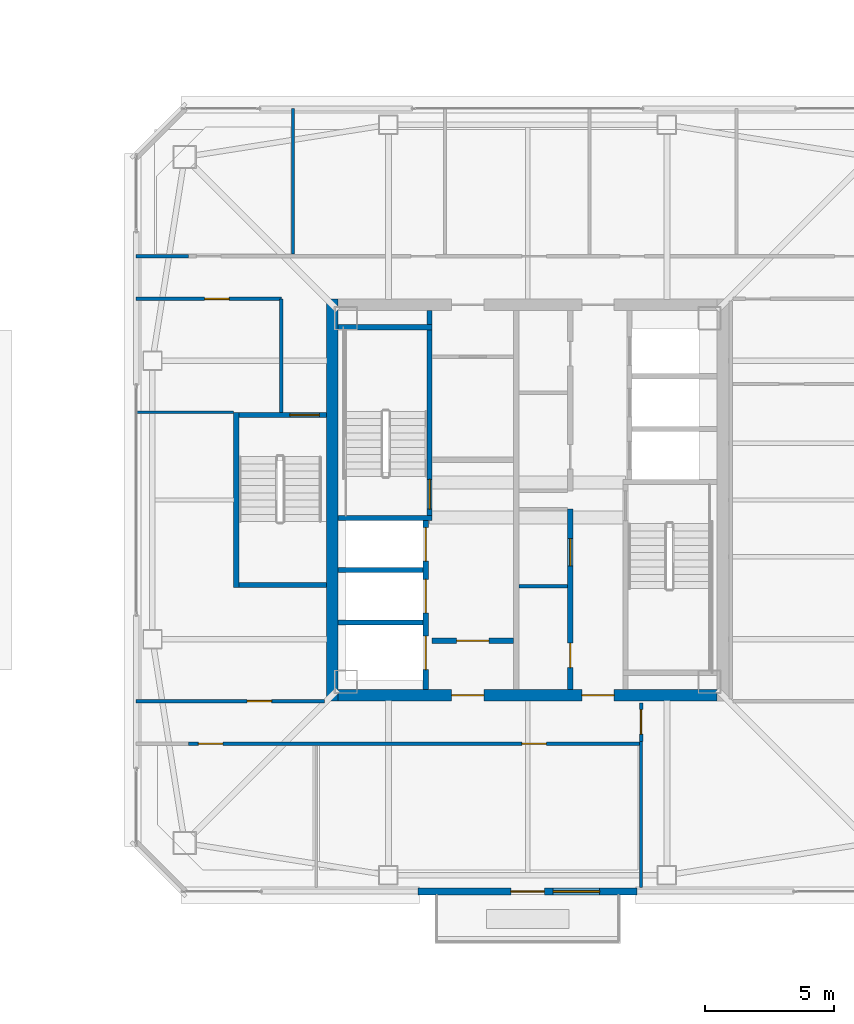
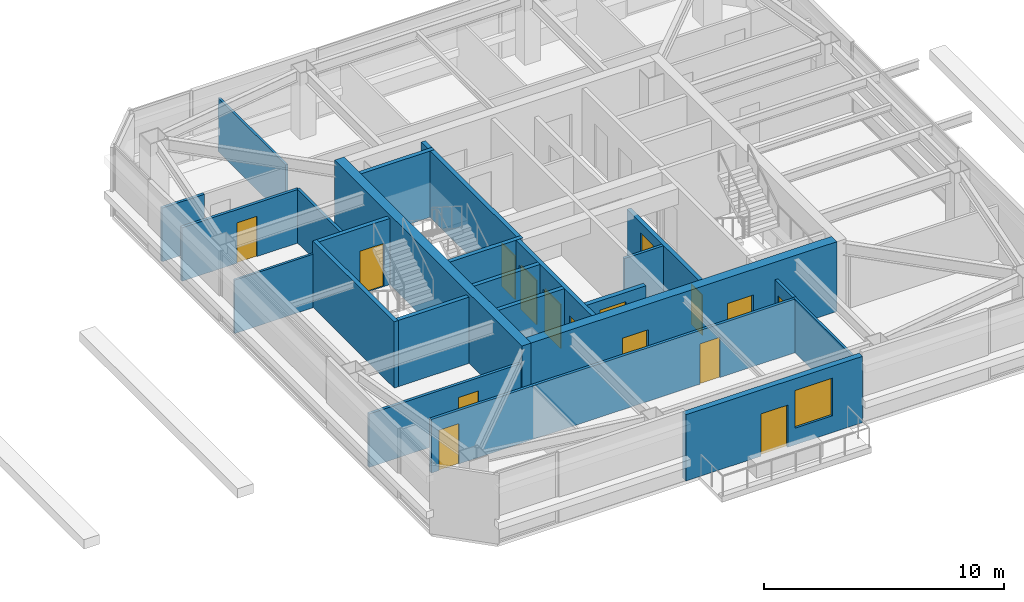
# One storey, part 25 of 31: 24 walls, 16 doors, 1 window, 17 openings.
"""IFC4 building model written with IfcOpenShell, lengths in metres."""

import ifcopenshell
import ifcopenshell.guid

model = None  # the IFC model being written
_history = None  # IfcOwnerHistory: only IFC2X3 demands one
_inside = {}  # id of a spatial element -> (the spatial element, [elements in it])
_under = {}  # id of a project, library or spatial element -> (it, [spatial elements below it])
_declared = {}  # id of a project -> (the project, [libraries it declares])
_typed = {}  # id of a type object -> (the type object, [elements of that type])
_made_of = {}  # id of a material, layer set ... -> (it, [elements and type objects made of it])


def new_model(schema):
    """Start an empty IFC model of exactly this schema.

    Asked for "IFC4X3", IfcOpenShell would pick the latest addendum, in which some entities
    have other attributes; the version numbers below select the first issue.
    IFC2X3 requires an IfcOwnerHistory on every rooted entity: one is made here for all.
    """
    global model, _history
    if schema == "IFC4X3":
        model = ifcopenshell.file(schema_version=(4, 3, 0, 0))
    else:
        model = ifcopenshell.file(schema=schema)
    _inside.clear()
    _under.clear()
    _declared.clear()
    _typed.clear()
    _made_of.clear()
    _history = None
    if model.schema == "IFC2X3":
        org = make("IfcOrganization", Name="unknown")
        user = make(
            "IfcPersonAndOrganization",
            ThePerson=make("IfcPerson", FamilyName="unknown"),
            TheOrganization=org,
        )
        app = make(
            "IfcApplication",
            ApplicationDeveloper=org,
            Version="unknown",
            ApplicationFullName="unknown",
            ApplicationIdentifier="unknown",
        )
        _history = make(
            "IfcOwnerHistory",
            OwningUser=user,
            OwningApplication=app,
            ChangeAction="ADDED",
            CreationDate=0,
        )
    return model


def make(cls, **values):
    """One entity of the class cls with the attributes given. An attribute that is None is left unset."""
    return model.create_entity(
        cls, **{name: value for name, value in values.items() if value is not None}
    )


def rooted(cls, **values):
    """An entity with a GlobalId (a new one), such as an element, a storey or a relation."""
    return make(cls, GlobalId=ifcopenshell.guid.new(), OwnerHistory=_history, **values)


def si_unit(unit_type, name, prefix=None):
    """IfcSIUnit, for example si_unit("LENGTHUNIT", "METRE", prefix="MILLI")."""
    return make("IfcSIUnit", UnitType=unit_type, Prefix=prefix, Name=name)


def assignment(units):
    """IfcUnitAssignment: the units of a project."""
    return None if units is None else make("IfcUnitAssignment", Units=units)


def point(xyz):
    """IfcCartesianPoint."""
    return None if xyz is None else make("IfcCartesianPoint", Coordinates=xyz)


def direction(xyz):
    """IfcDirection."""
    return None if xyz is None else make("IfcDirection", DirectionRatios=xyz)


def frame(location, z_axis=None, x_axis=None):
    """IfcAxis2Placement3D, a coordinate frame: its origin and axes. An axis left out is left unset."""
    return make(
        "IfcAxis2Placement3D",
        Location=point(location),
        Axis=direction(z_axis),
        RefDirection=direction(x_axis),
    )


def frame_2d(location, x_axis=None):
    """IfcAxis2Placement2D, a coordinate frame in the plane: its origin and x axis."""
    return make(
        "IfcAxis2Placement2D", Location=point(location), RefDirection=direction(x_axis)
    )


def origin():
    """The frame at (0, 0, 0) with its axes left unset."""
    return frame((0.0, 0.0, 0.0))


def place(relative_to, where):
    """IfcLocalPlacement: puts the frame where relative to a parent placement (None: the world)."""
    return make(
        "IfcLocalPlacement", PlacementRelTo=relative_to, RelativePlacement=where
    )


def context(
    kind, dimensions, precision=None, world=None, true_north=None, identifier=None
):
    """IfcGeometricRepresentationContext, for example the 3D "Model" context."""
    return make(
        "IfcGeometricRepresentationContext",
        ContextIdentifier=identifier,
        ContextType=kind,
        CoordinateSpaceDimension=dimensions,
        Precision=precision,
        WorldCoordinateSystem=world,
        TrueNorth=true_north,
    )


def subcontext(parent, identifier, kind, view, scale=None):
    """IfcGeometricRepresentationSubContext, for example "Body" below "Model"."""
    return make(
        "IfcGeometricRepresentationSubContext",
        ContextIdentifier=identifier,
        ContextType=kind,
        ParentContext=parent,
        TargetScale=scale,
        TargetView=view,
    )


def project(units=None, contexts=None):
    """IfcProject with its units and contexts."""
    return rooted(
        "IfcProject",
        Name="project",
        RepresentationContexts=contexts,
        UnitsInContext=assignment(units),
    )


def spatial(cls, under=None, at=None, **own):
    """A site, building, storey or space (cls), placed at a placement, below another one or the project."""
    s = rooted(cls, ObjectPlacement=at, **own)
    if under is not None:
        _under.setdefault(under.id(), (under, []))[1].append(s)
    return s


def profile(cls, at=None, kind="AREA", **sizes):
    """A parametric profile (cls). Its sizes go by their IFC names, for example OverallWidth=200.0."""
    return make(cls, ProfileType=kind, Position=at, **sizes)


def rectangle(**sizes):
    """IfcRectangleProfileDef."""
    return profile("IfcRectangleProfileDef", **sizes)


def extrude(swept, where, along, depth):
    """IfcExtrudedAreaSolid: the profile swept, set in the frame where, extruded along a direction by depth."""
    return make(
        "IfcExtrudedAreaSolid",
        SweptArea=swept,
        Position=where,
        ExtrudedDirection=direction(along),
        Depth=depth,
    )


def shape(context_of_items, identifier, shape_type, items):
    """IfcShapeRepresentation: the items that make up one representation, for example the "Body"."""
    return make(
        "IfcShapeRepresentation",
        ContextOfItems=context_of_items,
        RepresentationIdentifier=identifier,
        RepresentationType=shape_type,
        Items=items,
    )


def material(Name=None, Category=None):
    """IfcMaterial."""
    return make("IfcMaterial", Name=Name, Category=Category)


def layer(
    of_material, thickness, ventilated=None, Name=None, Category=None, Priority=None
):
    """IfcMaterialLayer: one layer of a wall or slab, of a material (None: an air gap)."""
    return make(
        "IfcMaterialLayer",
        Material=of_material,
        LayerThickness=thickness,
        IsVentilated=ventilated,
        Name=Name,
        Category=Category,
        Priority=Priority,
    )


def layer_set(layers, Name=None):
    """IfcMaterialLayerSet."""
    return make("IfcMaterialLayerSet", MaterialLayers=layers, LayerSetName=Name)


def made_of(thing, what):
    """Note that an element or type object is made of a material, layer set ...; save() writes the relation."""
    if what is not None:
        _made_of.setdefault(what.id(), (what, []))[1].append(thing)
    return thing


def type_object(cls, material=None, **own):
    """A type object (cls), such as IfcWallType, which elements share."""
    return made_of(rooted(cls, **own), material)


def element(
    cls,
    number,
    at=None,
    inside=None,
    cuts=None,
    type_object=None,
    material=None,
    context=None,
    identifier="Body",
    shape_type=None,
    held_by="IfcProductDefinitionShape",
    body=None,
    shapes=None,
    **own,
):
    """One element of the class cls, such as IfcWall. Its Tag is "e" and its number.

    at: its placement. inside: the storey or other place that contains it. cuts: it is an
    opening in that element (IfcRelVoidsElement). A single representation is given by context,
    identifier, shape_type and body (its items); several are given by shapes. held_by: the class
    of the entity that holds the representations. save() writes the other relations.
    """
    e = rooted(cls, Tag="e%d" % number, ObjectPlacement=at, **own)
    if body is not None:
        shapes = [shape(context, identifier, shape_type, body)]
    if shapes is not None:
        e.Representation = make(held_by, Representations=shapes)
    if inside is not None:
        _inside.setdefault(inside.id(), (inside, []))[1].append(e)
    if cuts is not None:
        rooted(
            "IfcRelVoidsElement", RelatingBuildingElement=cuts, RelatedOpeningElement=e
        )
    if type_object is not None:
        _typed.setdefault(type_object.id(), (type_object, []))[1].append(e)
    return made_of(e, material)


def fill(opening, filler):
    """IfcRelFillsElement: the door or window that sits in an opening."""
    return rooted(
        "IfcRelFillsElement",
        RelatingOpeningElement=opening,
        RelatedBuildingElement=filler,
    )


def aggregate(whole, parts):
    """IfcRelAggregates: a whole, such as a stair, and the parts it consists of."""
    return rooted("IfcRelAggregates", RelatingObject=whole, RelatedObjects=parts)


def save(model, path):
    """Write the relations noted so far, then the file.

    IfcRelAggregates (storeys below a building ...), IfcRelContainedInSpatialStructure (elements
    in a storey), IfcRelDefinesByType, IfcRelAssociatesMaterial and IfcRelDeclares: one each for
    every whole, place, type object, material and project.
    """
    for whole, parts in _under.values():
        aggregate(whole, parts)
    for where, things in _inside.values():
        rooted(
            "IfcRelContainedInSpatialStructure",
            RelatedElements=things,
            RelatingStructure=where,
        )
    for kind, things in _typed.values():
        rooted("IfcRelDefinesByType", RelatedObjects=things, RelatingType=kind)
    for what, things in _made_of.values():
        rooted("IfcRelAssociatesMaterial", RelatedObjects=things, RelatingMaterial=what)
    for by, libraries in _declared.values():
        rooted("IfcRelDeclares", RelatingContext=by, RelatedDefinitions=libraries)
    model.write(path)


model = new_model("IFC4")

# Units and contexts
model_context = context("Model", 3, precision=1e-05, world=origin(), true_north=direction((0.0, 1.0)))
body_context = subcontext(model_context, "Body", "Model", "MODEL_VIEW")
ifc_project = project(units=[si_unit("LENGTHUNIT", "METRE"), si_unit("AREAUNIT", "SQUARE_METRE"), si_unit("VOLUMEUNIT", "CUBIC_METRE"), si_unit("PLANEANGLEUNIT", "RADIAN"), si_unit("MASSUNIT", "GRAM", prefix="KILO")], contexts=[model_context])

# Site, building, storey
site_placement = place(None, origin())
site = spatial("IfcSite", under=ifc_project, at=site_placement, CompositionType="ELEMENT")
building_placement = place(site_placement, origin())
building = spatial("IfcBuilding", under=site, at=building_placement, Name="Tashvorn Skyway Center", CompositionType="ELEMENT")
storey_placement = place(building_placement, frame((0.0, 0.0, 266.949951171875)))
storey = spatial("IfcBuildingStorey", under=building, at=storey_placement, Name="L72", CompositionType="ELEMENT", Elevation=266.949951171875)

# Wall
ifc_material_1 = material(Name="Concrete C50/60", Category="concrete")
ifc_layer_1 = layer(ifc_material_1, 0.449951171875)
ifc_layer_set_1 = layer_set([ifc_layer_1], Name="Concrete C50/60")
wall_type_1 = type_object("IfcWallType", Name="WALL-CORE-450", PredefinedType="SHEAR", material=ifc_layer_set_1)
wall_1_placement = place(storey_placement, frame((34.425048828125, 24.199951171875, 0.0), z_axis=(0.0, 0.0, 1.0), x_axis=(0.0, 1.0, 0.0)))
element("IfcWall", 1, at=wall_1_placement, inside=storey, type_object=wall_type_1, Name="Tower 1 L72 West Core Shear Wall", PredefinedType="SHEAR", context=body_context, shape_type="SweptSolid", body=[
    extrude(rectangle(XDim=15.60009765625, YDim=0.449951171875, at=frame_2d((7.800048828125, 0.0))), origin(), (0.0, 0.0, 1.0), 3.550048828125),
])

# Wall, openings, doors
wall_2_placement = place(storey_placement, frame((49.35009765625, 24.425048828125, 0.0), z_axis=(0.0, 0.0, 1.0), x_axis=(-1.0, 0.0, 0.0)))
wall_2 = element("IfcWall", 2, at=wall_2_placement, inside=storey, type_object=wall_type_1, Name="Tower 1 L72 South Core Shear Wall", PredefinedType="SHEAR", context=body_context, shape_type="SweptSolid", body=[
    extrude(rectangle(XDim=14.7001953125, YDim=0.449951171875, at=frame_2d((7.35009765625, 0.0))), origin(), (0.0, 0.0, 1.0), 3.550048828125),
])
opening_1_placement = place(wall_2_placement, frame((9.050048828125, 0.0, 0.0)))
opening_1 = element("IfcOpeningElement", 3, at=opening_1_placement, cuts=wall_2, Name="Opening D-FFL-1250", PredefinedType="OPENING", context=body_context, shape_type="SweptSolid", body=[
    extrude(rectangle(XDim=1.25, YDim=2.25, at=frame_2d((0.625, 1.125))), frame((0.0, 0.23486328125, 0.0), z_axis=(0.0, -1.0, 0.0), x_axis=(1.0, 0.0, 0.0)), (0.0, 0.0, 1.0), 0.469970703125),
])
opening_2_placement = place(wall_2_placement, frame((4.0, 0.0, 0.0)))
opening_2 = element("IfcOpeningElement", 4, at=opening_2_placement, cuts=wall_2, Name="Opening D-FFL-1250", PredefinedType="OPENING", context=body_context, shape_type="SweptSolid", body=[
    extrude(rectangle(XDim=1.25, YDim=2.25, at=frame_2d((0.625, 1.125))), frame((0.0, 0.23486328125, 0.0), z_axis=(0.0, -1.0, 0.0), x_axis=(1.0, 0.0, 0.0)), (0.0, 0.0, 1.0), 0.469970703125),
])
ifc_material_2 = material(Name="Hollow galvanized steel fire door assembly", Category="steel")
door_type_1 = type_object("IfcDoorType", Name="DOOR-FFL-1250", OperationType="NOTDEFINED", PredefinedType="DOOR", material=ifc_material_2)
door_1_placement = place(opening_1_placement, origin())
door_1 = element("IfcDoor", 5, at=door_1_placement, inside=storey, type_object=door_type_1, Name="Tower 1 L72 Core South Firefighting Exit Door", OperationType="SINGLE_SWING_LEFT", OverallHeight=2.25, OverallWidth=1.25, PredefinedType="DOOR", context=body_context, shape_type="SweptSolid", body=[
    extrude(rectangle(XDim=1.25, YDim=2.25, at=frame_2d((0.625, 1.125))), frame((0.0, 0.02490234375, 0.0), z_axis=(0.0, -1.0, 0.0), x_axis=(1.0, 0.0, 0.0)), (0.0, 0.0, 1.0), 0.050048828125),
])
fill(opening_1, door_1)
door_2_placement = place(opening_2_placement, origin())
door_2 = element("IfcDoor", 6, at=door_2_placement, inside=storey, type_object=door_type_1, Name="Tower 1 L72 Core South Lift Lobby Door", OperationType="SINGLE_SWING_RIGHT", OverallHeight=2.25, OverallWidth=1.25, PredefinedType="DOOR", context=body_context, shape_type="SweptSolid", body=[
    extrude(rectangle(XDim=1.25, YDim=2.25, at=frame_2d((0.625, 1.125))), frame((0.0, 0.02490234375, 0.0), z_axis=(0.0, -1.0, 0.0), x_axis=(1.0, 0.0, 0.0)), (0.0, 0.0, 1.0), 0.050048828125),
])
fill(opening_2, door_2)

# Wall, openings, door, window
ifc_material_3 = material(Name="Precast concrete C40/50", Category="concrete")
ifc_layer_2 = layer(ifc_material_3, 0.280029296875)
ifc_layer_set_2 = layer_set([ifc_layer_2], Name="Precast concrete C40/50")
wall_type_2 = type_object("IfcWallType", Name="WALL-EXT-280", PredefinedType="SOLIDWALL", material=ifc_layer_set_2)
wall_3_placement = place(storey_placement, frame((46.25, 16.820068359375, 0.0), z_axis=(0.0, 0.0, 1.0), x_axis=(-1.0, 0.0, 0.0)))
wall_3 = element("IfcWall", 7, at=wall_3_placement, inside=storey, type_object=wall_type_2, Name="Tower 1 L72 South Terrace Portal Wall", PredefinedType="SOLIDWALL", context=body_context, shape_type="SweptSolid", body=[
    extrude(rectangle(XDim=8.5, YDim=0.280029296875, at=frame_2d((4.25, 0.0))), origin(), (0.0, 0.0, 1.0), 3.3701171875),
])
opening_3_placement = place(wall_3_placement, frame((3.60009765625, 0.0, 0.0)))
opening_3 = element("IfcOpeningElement", 8, at=opening_3_placement, cuts=wall_3, Name="Opening D-TER-1300", PredefinedType="OPENING", context=body_context, shape_type="SweptSolid", body=[
    extrude(rectangle(XDim=1.300048828125, YDim=2.14990234375, at=frame_2d((0.64990234375, 1.074951171875))), frame((0.0, 0.14990234375, 0.0), z_axis=(0.0, -1.0, 0.0), x_axis=(1.0, 0.0, 0.0)), (0.0, 0.0, 1.0), 0.300048828125),
])
opening_4_placement = place(wall_3_placement, frame((1.4599609375, 0.0, 0.85009765625)))
opening_4 = element("IfcOpeningElement", 9, at=opening_4_placement, cuts=wall_3, Name="Opening WIN-1800", PredefinedType="OPENING", context=body_context, shape_type="SweptSolid", body=[
    extrude(rectangle(XDim=1.800048828125, YDim=1.919921875, at=frame_2d((0.89990234375, 0.9599609375))), frame((0.0, 0.14990234375, 0.0), z_axis=(0.0, -1.0, 0.0), x_axis=(1.0, 0.0, 0.0)), (0.0, 0.0, 1.0), 0.300048828125),
])
ifc_material_4 = material(Name="Thermally broken bronze-anodized aluminium 6063-T6", Category="aluminium")
door_type_2 = type_object("IfcDoorType", Name="DOOR-TERR-1300", OperationType="NOTDEFINED", PredefinedType="DOOR", material=ifc_material_4)
door_3_placement = place(opening_3_placement, origin())
door_3 = element("IfcDoor", 10, at=door_3_placement, inside=storey, type_object=door_type_2, Name="Tower 1 L72 Terrace Access Door", OperationType="SINGLE_SWING_RIGHT", OverallHeight=2.14990234375, OverallWidth=1.300048828125, PredefinedType="DOOR", context=body_context, shape_type="SweptSolid", body=[
    extrude(rectangle(XDim=1.300048828125, YDim=2.14990234375, at=frame_2d((0.64990234375, 1.074951171875))), frame((0.0, 0.02490234375, 0.0), z_axis=(0.0, -1.0, 0.0), x_axis=(1.0, 0.0, 0.0)), (0.0, 0.0, 1.0), 0.050048828125),
])
fill(opening_3, door_3)
ifc_material_5 = material(Name="Low-E solar-control double insulating safety glass", Category="glass")
window_type = type_object("IfcWindowType", Name="WIN-TERR-1800", PartitioningType="SINGLE_PANEL", PredefinedType="WINDOW", material=ifc_material_5)
window_placement = place(opening_4_placement, origin())
window = element("IfcWindow", 11, at=window_placement, inside=storey, type_object=window_type, Name="Tower 1 L72 Terrace Window", OverallHeight=1.919921875, OverallWidth=1.800048828125, PartitioningType="SINGLE_PANEL", PredefinedType="WINDOW", context=body_context, shape_type="SweptSolid", body=[
    extrude(rectangle(XDim=1.800048828125, YDim=1.919921875, at=frame_2d((0.89990234375, 0.9599609375))), frame((0.0, 0.030029296875, 0.0), z_axis=(0.0, -1.0, 0.0), x_axis=(1.0, 0.0, 0.0)), (0.0, 0.0, 1.0), 0.06005859375),
])
fill(opening_4, window)

# Wall, opening, door
ifc_material_6 = material(Name="Concrete C40/50", Category="concrete")
ifc_layer_3 = layer(ifc_material_6, 0.219970703125)
ifc_layer_set_3 = layer_set([ifc_layer_3], Name="Concrete C40/50")
wall_type_3 = type_object("IfcWallType", Name="WALL-FFL-220", PredefinedType="SOLIDWALL", material=ifc_layer_set_3)
wall_4_placement = place(storey_placement, frame((38.300048828125, 26.5400390625, 0.0), z_axis=(0.0, 0.0, 1.0), x_axis=(1.0, 0.0, 0.0)))
wall_4 = element("IfcWall", 12, at=wall_4_placement, inside=storey, type_object=wall_type_3, Name="Tower 1 L72 Firefighting Lobby South Wall", PredefinedType="SOLIDWALL", context=body_context, shape_type="SweptSolid", body=[
    extrude(rectangle(XDim=3.14990234375, YDim=0.219970703125, at=frame_2d((1.574951171875, 0.0))), origin(), (0.0, 0.0, 1.0), 2.72314453125),
])
opening_5_placement = place(wall_4_placement, frame((0.949951171875, 0.0, 0.0)))
opening_5 = element("IfcOpeningElement", 13, at=opening_5_placement, cuts=wall_4, Name="Opening D-FFL-1250", PredefinedType="OPENING", context=body_context, shape_type="SweptSolid", body=[
    extrude(rectangle(XDim=1.25, YDim=2.25, at=frame_2d((0.625, 1.125))), frame((0.0, 0.119873046875, 0.0), z_axis=(0.0, -1.0, 0.0), x_axis=(1.0, 0.0, 0.0)), (0.0, 0.0, 1.0), 0.239990234375),
])
door_4_placement = place(opening_5_placement, origin())
door_4 = element("IfcDoor", 14, at=door_4_placement, inside=storey, type_object=door_type_1, Name="Tower 1 L72 Firefighting Lobby Egress Door", OperationType="SINGLE_SWING_LEFT", OverallHeight=2.25, OverallWidth=1.25, PredefinedType="DOOR", context=body_context, shape_type="SweptSolid", body=[
    extrude(rectangle(XDim=1.25, YDim=2.25, at=frame_2d((0.625, 1.125))), frame((0.0, 0.02490234375, 0.0), z_axis=(0.0, -1.0, 0.0), x_axis=(1.0, 0.0, 0.0)), (0.0, 0.0, 1.0), 0.050048828125),
])
fill(opening_5, door_4)

# Walls
ifc_material_7 = material(Name="Gypsum board on cold-formed steel stud framing", Category="steel")
ifc_layer_4 = layer(ifc_material_7, 0.110107421875)
ifc_layer_set_4 = layer_set([ifc_layer_4], Name="Gypsum board on cold-formed steel stud framing")
wall_type_4 = type_object("IfcWallType", Name="WALL-PART-110", PredefinedType="PARTITIONING", material=ifc_layer_set_4)
wall_5_placement = place(storey_placement, frame((32.89990234375, 41.530029296875, 0.0), z_axis=(0.0, 0.0, 1.0), x_axis=(0.0, 1.0, 0.0)))
element("IfcWall", 15, at=wall_5_placement, inside=storey, type_object=wall_type_4, Name="Tower 1 L72 North Suite Partition 1", PredefinedType="PARTITIONING", context=body_context, shape_type="SweptSolid", body=[
    extrude(rectangle(XDim=5.64990234375, YDim=0.110107421875, at=frame_2d((2.824951171875, 0.0))), origin(), (0.0, 0.0, 1.0), 2.72314453125),
])
wall_6_placement = place(storey_placement, frame((46.39990234375, 16.969970703125, 0.0), z_axis=(0.0, 0.0, 1.0), x_axis=(0.0, 1.0, 0.0)))
element("IfcWall", 16, at=wall_6_placement, inside=storey, type_object=wall_type_4, Name="Tower 1 L72 South-East Suite Wall", PredefinedType="PARTITIONING", context=body_context, shape_type="SweptSolid", body=[
    extrude(rectangle(XDim=5.659912109375, YDim=0.110107421875, at=frame_2d((2.830078125, 0.0))), origin(), (0.0, 0.0, 1.0), 2.72314453125),
])
wall_7_placement = place(storey_placement, frame((30.60009765625, 35.39990234375, 0.0), z_axis=(0.0, 0.0, 1.0), x_axis=(-1.0, 0.0, 0.0)))
element("IfcWall", 17, at=wall_7_placement, inside=storey, type_object=wall_type_4, Name="Tower 1 L72 West Suite Partition 1", PredefinedType="PARTITIONING", context=body_context, shape_type="SweptSolid", body=[
    extrude(rectangle(XDim=3.780029296875, YDim=0.110107421875, at=frame_2d((1.89013671875, 0.0))), origin(), (0.0, 0.0, 1.0), 2.72314453125),
])
ifc_layer_5 = layer(ifc_material_7, 0.135009765625)
ifc_layer_set_5 = layer_set([ifc_layer_5], Name="Gypsum board on cold-formed steel stud framing")
wall_type_5 = type_object("IfcWallType", Name="WALL-PART-135", PredefinedType="PARTITIONING", material=ifc_layer_set_5)
wall_8_placement = place(storey_placement, frame((32.449951171875, 35.39990234375, 0.0), z_axis=(0.0, 0.0, 1.0), x_axis=(0.0, 1.0, 0.0)))
element("IfcWall", 18, at=wall_8_placement, inside=storey, type_object=wall_type_5, Name="Tower 1 L72 Stair 3 Access Corridor Wall", PredefinedType="PARTITIONING", context=body_context, shape_type="SweptSolid", body=[
    extrude(rectangle(XDim=4.400146484375, YDim=0.135009765625, at=frame_2d((2.2001953125, 0.0))), origin(), (0.0, 0.0, 1.0), 2.72314453125),
])
wall_9_placement = place(storey_placement, frame((26.820068359375, 41.449951171875, 0.0), z_axis=(0.0, 0.0, 1.0), x_axis=(1.0, 0.0, 0.0)))
element("IfcWall", 19, at=wall_9_placement, inside=storey, type_object=wall_type_5, Name="Tower 1 L72 North-West Suite South Wall", PredefinedType="PARTITIONING", context=body_context, shape_type="SweptSolid", body=[
    extrude(rectangle(XDim=2.030029296875, YDim=0.135009765625, at=frame_2d((1.01513671875, 0.0))), origin(), (0.0, 0.0, 1.0), 2.72314453125),
])

# Wall, openings, doors
wall_10_placement = place(storey_placement, frame((46.39990234375, 22.550048828125, 0.0), z_axis=(0.0, 0.0, 1.0), x_axis=(-1.0, 0.0, 0.0)))
wall_10 = element("IfcWall", 20, at=wall_10_placement, inside=storey, type_object=wall_type_5, Name="Tower 1 L72 South Suite Wall", PredefinedType="PARTITIONING", context=body_context, shape_type="SweptSolid", body=[
    extrude(rectangle(XDim=17.5498046875, YDim=0.135009765625, at=frame_2d((8.77490234375, 0.0))), origin(), (0.0, 0.0, 1.0), 2.72314453125),
])
opening_6_placement = place(wall_10_placement, frame((16.219970703125, 0.0, 0.0)))
opening_6 = element("IfcOpeningElement", 21, at=opening_6_placement, cuts=wall_10, Name="Opening D-INT-950", PredefinedType="OPENING", context=body_context, shape_type="SweptSolid", body=[
    extrude(rectangle(XDim=0.949951171875, YDim=2.050048828125, at=frame_2d((0.47509765625, 1.02490234375))), frame((0.0, 0.077392578125, 0.0), z_axis=(0.0, -1.0, 0.0), x_axis=(1.0, 0.0, 0.0)), (0.0, 0.0, 1.0), 0.155029296875),
])
opening_7_placement = place(wall_10_placement, frame((3.67236328125, 0.0, 0.0)))
opening_7 = element("IfcOpeningElement", 22, at=opening_7_placement, cuts=wall_10, Name="Opening D-INT-950", PredefinedType="OPENING", context=body_context, shape_type="SweptSolid", body=[
    extrude(rectangle(XDim=0.949951171875, YDim=2.050048828125, at=frame_2d((0.47509765625, 1.02490234375))), frame((0.0, 0.077392578125, 0.0), z_axis=(0.0, -1.0, 0.0), x_axis=(1.0, 0.0, 0.0)), (0.0, 0.0, 1.0), 0.155029296875),
])
ifc_material_8 = material(Name="Solid-core architectural oak veneer door")
door_type_3 = type_object("IfcDoorType", Name="DOOR-INT-950", OperationType="NOTDEFINED", PredefinedType="DOOR", material=ifc_material_8)
door_5_placement = place(opening_6_placement, origin())
door_5 = element("IfcDoor", 23, at=door_5_placement, inside=storey, type_object=door_type_3, Name="Tower 1 L72 Research Library Door", OperationType="SINGLE_SWING_RIGHT", OverallHeight=2.050048828125, OverallWidth=0.949951171875, PredefinedType="DOOR", context=body_context, shape_type="SweptSolid", body=[
    extrude(rectangle(XDim=0.949951171875, YDim=2.050048828125, at=frame_2d((0.47509765625, 1.02490234375))), frame((0.0, 0.02490234375, 0.0), z_axis=(0.0, -1.0, 0.0), x_axis=(1.0, 0.0, 0.0)), (0.0, 0.0, 1.0), 0.050048828125),
])
fill(opening_6, door_5)
door_6_placement = place(opening_7_placement, origin())
door_6 = element("IfcDoor", 24, at=door_6_placement, inside=storey, type_object=door_type_3, Name="Tower 1 L72 Security Control Room Door", OperationType="SINGLE_SWING_LEFT", OverallHeight=2.050048828125, OverallWidth=0.949951171875, PredefinedType="DOOR", context=body_context, shape_type="SweptSolid", body=[
    extrude(rectangle(XDim=0.949951171875, YDim=2.050048828125, at=frame_2d((0.47509765625, 1.02490234375))), frame((0.0, 0.02490234375, 0.0), z_axis=(0.0, -1.0, 0.0), x_axis=(1.0, 0.0, 0.0)), (0.0, 0.0, 1.0), 0.050048828125),
])
fill(opening_7, door_6)

# Wall, opening, door
wall_11_placement = place(storey_placement, frame((46.39990234375, 24.1201171875, 0.0), z_axis=(0.0, 0.0, 1.0), x_axis=(0.0, -1.0, 0.0)))
wall_11 = element("IfcWall", 25, at=wall_11_placement, inside=storey, type_object=wall_type_5, Name="Tower 1 L72 South Gallery End Wall", PredefinedType="PARTITIONING", context=body_context, shape_type="SweptSolid", body=[
    extrude(rectangle(XDim=1.490234375, YDim=0.135009765625, at=frame_2d((0.7451171875, 0.0))), origin(), (0.0, 0.0, 1.0), 2.72314453125),
])
opening_8_placement = place(wall_11_placement, frame((0.25, 0.0, 0.0)))
opening_8 = element("IfcOpeningElement", 26, at=opening_8_placement, cuts=wall_11, Name="Opening D-INT-950", PredefinedType="OPENING", context=body_context, shape_type="SweptSolid", body=[
    extrude(rectangle(XDim=0.949951171875, YDim=2.050048828125, at=frame_2d((0.47509765625, 1.02490234375))), frame((0.0, 0.077392578125, 0.0), z_axis=(0.0, -1.0, 0.0), x_axis=(1.0, 0.0, 0.0)), (0.0, 0.0, 1.0), 0.155029296875),
])
door_7_placement = place(opening_8_placement, origin())
door_7 = element("IfcDoor", 27, at=door_7_placement, inside=storey, type_object=door_type_3, Name="Tower 1 L72 Research Library Door", OperationType="SINGLE_SWING_RIGHT", OverallHeight=2.050048828125, OverallWidth=0.949951171875, PredefinedType="DOOR", context=body_context, shape_type="SweptSolid", body=[
    extrude(rectangle(XDim=0.949951171875, YDim=2.050048828125, at=frame_2d((0.47509765625, 1.02490234375))), frame((0.0, 0.02490234375, 0.0), z_axis=(0.0, -1.0, 0.0), x_axis=(1.0, 0.0, 0.0)), (0.0, 0.0, 1.0), 0.050048828125),
])
fill(opening_8, door_7)

wall_12_placement = place(storey_placement, frame((32.449951171875, 39.800048828125, 0.0), z_axis=(0.0, 0.0, 1.0), x_axis=(-1.0, 0.0, 0.0)))
wall_12 = element("IfcWall", 28, at=wall_12_placement, inside=storey, type_object=wall_type_5, Name="Tower 1 L72 West Suite North Wall", PredefinedType="PARTITIONING", context=body_context, shape_type="SweptSolid", body=[
    extrude(rectangle(XDim=5.6298828125, YDim=0.135009765625, at=frame_2d((2.81494140625, 0.0))), origin(), (0.0, 0.0, 1.0), 2.72314453125),
])
opening_9_placement = place(wall_12_placement, frame((2.02490234375, 0.0, 0.0)))
opening_9 = element("IfcOpeningElement", 29, at=opening_9_placement, cuts=wall_12, Name="Opening D-INT-950", PredefinedType="OPENING", context=body_context, shape_type="SweptSolid", body=[
    extrude(rectangle(XDim=0.949951171875, YDim=2.050048828125, at=frame_2d((0.47509765625, 1.02490234375))), frame((0.0, 0.077392578125, 0.0), z_axis=(0.0, -1.0, 0.0), x_axis=(1.0, 0.0, 0.0)), (0.0, 0.0, 1.0), 0.155029296875),
])
door_8_placement = place(opening_9_placement, origin())
door_8 = element("IfcDoor", 30, at=door_8_placement, inside=storey, type_object=door_type_3, Name="Tower 1 L72 Design Studio Door", OperationType="SINGLE_SWING_LEFT", OverallHeight=2.050048828125, OverallWidth=0.949951171875, PredefinedType="DOOR", context=body_context, shape_type="SweptSolid", body=[
    extrude(rectangle(XDim=0.949951171875, YDim=2.050048828125, at=frame_2d((0.47509765625, 1.02490234375))), frame((0.0, 0.02490234375, 0.0), z_axis=(0.0, -1.0, 0.0), x_axis=(1.0, 0.0, 0.0)), (0.0, 0.0, 1.0), 0.050048828125),
])
fill(opening_9, door_8)

wall_13_placement = place(storey_placement, frame((26.820068359375, 24.199951171875, 0.0), z_axis=(0.0, 0.0, 1.0), x_axis=(1.0, 0.0, 0.0)))
wall_13 = element("IfcWall", 31, at=wall_13_placement, inside=storey, type_object=wall_type_5, Name="Tower 1 L72 West Suite South Wall", PredefinedType="PARTITIONING", context=body_context, shape_type="SweptSolid", body=[
    extrude(rectangle(XDim=7.300048828125, YDim=0.135009765625, at=frame_2d((3.64990234375, 0.0))), origin(), (0.0, 0.0, 1.0), 2.72314453125),
])
opening_10_placement = place(wall_13_placement, frame((4.304931640625, 0.0, 0.0)))
opening_10 = element("IfcOpeningElement", 32, at=opening_10_placement, cuts=wall_13, Name="Opening D-INT-950", PredefinedType="OPENING", context=body_context, shape_type="SweptSolid", body=[
    extrude(rectangle(XDim=0.949951171875, YDim=2.050048828125, at=frame_2d((0.47509765625, 1.02490234375))), frame((0.0, 0.077392578125, 0.0), z_axis=(0.0, -1.0, 0.0), x_axis=(1.0, 0.0, 0.0)), (0.0, 0.0, 1.0), 0.155029296875),
])
door_9_placement = place(opening_10_placement, origin())
door_9 = element("IfcDoor", 33, at=door_9_placement, inside=storey, type_object=door_type_3, Name="Tower 1 L72 Public Restroom Door", OperationType="SINGLE_SWING_RIGHT", OverallHeight=2.050048828125, OverallWidth=0.949951171875, PredefinedType="DOOR", context=body_context, shape_type="SweptSolid", body=[
    extrude(rectangle(XDim=0.949951171875, YDim=2.050048828125, at=frame_2d((0.47509765625, 1.02490234375))), frame((0.0, 0.02490234375, 0.0), z_axis=(0.0, -1.0, 0.0), x_axis=(1.0, 0.0, 0.0)), (0.0, 0.0, 1.0), 0.050048828125),
])
fill(opening_10, door_9)

# Walls
ifc_layer_6 = layer(ifc_material_7, 0.135009765625)
ifc_layer_set_6 = layer_set([ifc_layer_6], Name="Gypsum board on cold-formed steel stud framing")
wall_type_6 = type_object("IfcWallType", Name="WALL-RATED-135", PredefinedType="PARTITIONING", material=ifc_layer_set_6)
wall_14_placement = place(storey_placement, frame((41.669921875, 28.64990234375, 0.0), z_axis=(0.0, 0.0, 1.0), x_axis=(1.0, 0.0, 0.0)))
element("IfcWall", 34, at=wall_14_placement, inside=storey, type_object=wall_type_6, Name="Tower 1 L72 Freed Core Partition", PredefinedType="PARTITIONING", context=body_context, shape_type="SweptSolid", body=[
    extrude(rectangle(XDim=1.880126953125, YDim=0.135009765625, at=frame_2d((0.93994140625, 0.0))), origin(), (0.0, 0.0, 1.0), 2.72314453125),
])
ifc_layer_7 = layer(ifc_material_6, 0.199951171875)
ifc_layer_set_7 = layer_set([ifc_layer_7], Name="Concrete C40/50")
wall_type_7 = type_object("IfcWallType", Name="WALL-SHAFT-200", PredefinedType="SOLIDWALL", material=ifc_layer_set_7)
for number, where, z_axis, x_axis, name in (
    (35, (34.64990234375, 27.25, 0.0), (0.0, 0.0, 1.0), (1.0, 0.0, 0.0), "Tower 1 L72 FSAE Shaft Divider"),
    (36, (34.64990234375, 29.280029296875, 0.0), (0.0, 0.0, 1.0), (1.0, 0.0, 0.0), "Tower 1 L72 FSAE Shaft Divider"),
):
    element("IfcWall", number, at=place(storey_placement, frame(where, z_axis=z_axis, x_axis=x_axis)), inside=storey, type_object=wall_type_7, Name=name, PredefinedType="SOLIDWALL", context=body_context, shape_type="SweptSolid", body=[
        extrude(rectangle(XDim=3.300048828125, YDim=0.199951171875, at=frame_2d((1.64990234375, 0.0))), origin(), (0.0, 0.0, 1.0), 3.3701171875),
    ])

# Wall, openings, doors
wall_15_placement = place(storey_placement, frame((43.64990234375, 24.64990234375, 0.0), z_axis=(0.0, 0.0, 1.0), x_axis=(0.0, 1.0, 0.0)))
wall_15 = element("IfcWall", 37, at=wall_15_placement, inside=storey, type_object=wall_type_7, Name="Tower 1 L72 Low-Rise Core Wall", PredefinedType="SOLIDWALL", context=body_context, shape_type="SweptSolid", body=[
    extrude(rectangle(XDim=7.0, YDim=0.199951171875, at=frame_2d((3.5, 0.0))), origin(), (0.0, 0.0, 1.0), 2.72314453125),
])
opening_11_placement = place(wall_15_placement, frame((0.85009765625, 0.0, 0.0)))
opening_11 = element("IfcOpeningElement", 38, at=opening_11_placement, cuts=wall_15, Name="Opening D-RT-950", PredefinedType="OPENING", context=body_context, shape_type="SweptSolid", body=[
    extrude(rectangle(XDim=0.949951171875, YDim=2.050048828125, at=frame_2d((0.47509765625, 1.02490234375))), frame((0.0, 0.10986328125, 0.0), z_axis=(0.0, -1.0, 0.0), x_axis=(1.0, 0.0, 0.0)), (0.0, 0.0, 1.0), 0.219970703125),
])
opening_12_placement = place(wall_15_placement, frame((4.800048828125, 0.0, 0.0)))
opening_12 = element("IfcOpeningElement", 39, at=opening_12_placement, cuts=wall_15, Name="Opening D-RT-1050", PredefinedType="OPENING", context=body_context, shape_type="SweptSolid", body=[
    extrude(rectangle(XDim=1.050048828125, YDim=2.199951171875, at=frame_2d((0.52490234375, 1.10009765625))), frame((0.0, 0.10986328125, 0.0), z_axis=(0.0, -1.0, 0.0), x_axis=(1.0, 0.0, 0.0)), (0.0, 0.0, 1.0), 0.219970703125),
])
door_type_4 = type_object("IfcDoorType", Name="DOOR-RATED-1050", OperationType="NOTDEFINED", PredefinedType="DOOR", material=ifc_material_2)
door_10_placement = place(opening_12_placement, origin())
door_10 = element("IfcDoor", 40, at=door_10_placement, inside=storey, type_object=door_type_4, Name="Tower 1 L72 Freed Core Room Door", OperationType="SINGLE_SWING_RIGHT", OverallHeight=2.199951171875, OverallWidth=1.050048828125, PredefinedType="DOOR", context=body_context, shape_type="SweptSolid", body=[
    extrude(rectangle(XDim=1.050048828125, YDim=2.199951171875, at=frame_2d((0.52490234375, 1.10009765625))), frame((0.0, 0.02490234375, 0.0), z_axis=(0.0, -1.0, 0.0), x_axis=(1.0, 0.0, 0.0)), (0.0, 0.0, 1.0), 0.050048828125),
])
fill(opening_12, door_10)
door_type_5 = type_object("IfcDoorType", Name="DOOR-RATED-950", OperationType="NOTDEFINED", PredefinedType="DOOR", material=ifc_material_2)
door_11_placement = place(opening_11_placement, origin())
door_11 = element("IfcDoor", 41, at=door_11_placement, inside=storey, type_object=door_type_5, Name="Tower 1 L72 Core Print Room Door", OperationType="SINGLE_SWING_LEFT", OverallHeight=2.050048828125, OverallWidth=0.949951171875, PredefinedType="DOOR", context=body_context, shape_type="SweptSolid", body=[
    extrude(rectangle(XDim=0.949951171875, YDim=2.050048828125, at=frame_2d((0.47509765625, 1.02490234375))), frame((0.0, 0.02490234375, 0.0), z_axis=(0.0, -1.0, 0.0), x_axis=(1.0, 0.0, 0.0)), (0.0, 0.0, 1.0), 0.050048828125),
])
fill(opening_11, door_11)

# Wall, opening, door
ifc_layer_8 = layer(ifc_material_6, 0.199951171875)
ifc_layer_set_8 = layer_set([ifc_layer_8], Name="Concrete C40/50")
wall_type_8 = type_object("IfcWallType", Name="WALL-STSHF-200", PredefinedType="SHEAR", material=ifc_layer_set_8)
wall_16_placement = place(storey_placement, frame((38.199951171875, 31.199951171875, 0.0), z_axis=(0.0, 0.0, 1.0), x_axis=(0.0, 1.0, 0.0)))
wall_16 = element("IfcWall", 42, at=wall_16_placement, inside=storey, type_object=wall_type_8, Name="Tower 1 L72 Stair 1 Enclosure Wall", PredefinedType="SHEAR", context=body_context, shape_type="SweptSolid", body=[
    extrude(rectangle(XDim=8.150146484375, YDim=0.199951171875, at=frame_2d((4.0751953125, 0.0))), origin(), (0.0, 0.0, 1.0), 3.3701171875),
])
opening_13_placement = place(wall_16_placement, frame((0.449951171875, 0.0, 0.0)))
opening_13 = element("IfcOpeningElement", 43, at=opening_13_placement, cuts=wall_16, Name="Opening D-ST-1150", PredefinedType="OPENING", context=body_context, shape_type="SweptSolid", body=[
    extrude(rectangle(XDim=1.14990234375, YDim=2.199951171875, at=frame_2d((0.574951171875, 1.10009765625))), frame((0.0, 0.10986328125, 0.0), z_axis=(0.0, -1.0, 0.0), x_axis=(1.0, 0.0, 0.0)), (0.0, 0.0, 1.0), 0.219970703125),
])
door_type_6 = type_object("IfcDoorType", Name="DOOR-STAIR-1150", OperationType="NOTDEFINED", PredefinedType="DOOR", material=ifc_material_2)
door_12_placement = place(opening_13_placement, origin())
door_12 = element("IfcDoor", 44, at=door_12_placement, inside=storey, type_object=door_type_6, Name="Tower 1 L72 Exit Stair 1 Door", OperationType="SINGLE_SWING_RIGHT", OverallHeight=2.199951171875, OverallWidth=1.14990234375, PredefinedType="DOOR", context=body_context, shape_type="SweptSolid", body=[
    extrude(rectangle(XDim=1.14990234375, YDim=2.199951171875, at=frame_2d((0.574951171875, 1.10009765625))), frame((0.0, 0.02490234375, 0.0), z_axis=(0.0, -1.0, 0.0), x_axis=(1.0, 0.0, 0.0)), (0.0, 0.0, 1.0), 0.050048828125),
])
fill(opening_13, door_12)

# Walls
for number, where, z_axis, x_axis, name in (
    (45, (34.64990234375, 31.300048828125, 0.0), (0.0, 0.0, 1.0), (1.0, 0.0, 0.0), "Tower 1 L72 Stair 1 South Wall"),
    (46, (34.64990234375, 38.699951171875, 0.0), (0.0, 0.0, 1.0), (1.0, 0.0, 0.0), "Tower 1 L72 Stair 1 North Wall"),
):
    element("IfcWall", number, at=place(storey_placement, frame(where, z_axis=z_axis, x_axis=x_axis)), inside=storey, type_object=wall_type_8, Name=name, PredefinedType="SHEAR", context=body_context, shape_type="SweptSolid", body=[
        extrude(rectangle(XDim=3.650146484375, YDim=0.199951171875, at=frame_2d((1.8251953125, 0.0))), origin(), (0.0, 0.0, 1.0), 3.3701171875),
    ])

# Wall, openings, doors
wall_17_placement = place(storey_placement, frame((38.050048828125, 24.64990234375, 0.0), z_axis=(0.0, 0.0, 1.0), x_axis=(0.0, 1.0, 0.0)))
wall_17 = element("IfcWall", 47, at=wall_17_placement, inside=storey, type_object=wall_type_8, Name="Tower 1 L72 FSAE and Goods Shaft Front Wall", PredefinedType="SHEAR", context=body_context, shape_type="SweptSolid", body=[
    extrude(rectangle(XDim=6.550048828125, YDim=0.199951171875, at=frame_2d((3.27490234375, 0.0))), origin(), (0.0, 0.0, 1.0), 3.3701171875),
])
opening_14_placement = place(wall_17_placement, frame((4.97509765625, 0.0, 0.0)))
opening_14 = element("IfcOpeningElement", 48, at=opening_14_placement, cuts=wall_17, Name="Opening LD-FF-T1-1-L72", PredefinedType="OPENING", context=body_context, shape_type="SweptSolid", body=[
    extrude(rectangle(XDim=1.300048828125, YDim=2.25, at=frame_2d((0.64990234375, 1.125))), frame((0.0, 0.10986328125, 0.0), z_axis=(0.0, -1.0, 0.0), x_axis=(1.0, 0.0, 0.0)), (0.0, 0.0, 1.0), 0.219970703125),
])
opening_15_placement = place(wall_17_placement, frame((2.97509765625, 0.0, 0.0)))
opening_15 = element("IfcOpeningElement", 49, at=opening_15_placement, cuts=wall_17, Name="Opening LD-FF-T1-2-L72", PredefinedType="OPENING", context=body_context, shape_type="SweptSolid", body=[
    extrude(rectangle(XDim=1.300048828125, YDim=2.25, at=frame_2d((0.64990234375, 1.125))), frame((0.0, 0.10986328125, 0.0), z_axis=(0.0, -1.0, 0.0), x_axis=(1.0, 0.0, 0.0)), (0.0, 0.0, 1.0), 0.219970703125),
])
opening_16_placement = place(wall_17_placement, frame((0.77490234375, 0.0, 0.0)))
opening_16 = element("IfcOpeningElement", 50, at=opening_16_placement, cuts=wall_17, Name="Opening LD-GD-T1-1-L72", PredefinedType="OPENING", context=body_context, shape_type="SweptSolid", body=[
    extrude(rectangle(XDim=1.300048828125, YDim=2.25, at=frame_2d((0.64990234375, 1.125))), frame((0.0, 0.10986328125, 0.0), z_axis=(0.0, -1.0, 0.0), x_axis=(1.0, 0.0, 0.0)), (0.0, 0.0, 1.0), 0.219970703125),
])
ifc_material_9 = material(Name="Stainless steel heavy-duty landing door", Category="steel")
door_type_7 = type_object("IfcDoorType", Name="DOOR-LIFT-1300", OperationType="SLIDING_TO_LEFT", PredefinedType="DOOR", material=ifc_material_9)
door_13_placement = place(opening_14_placement, origin())
door_13 = element("IfcDoor", 51, at=door_13_placement, inside=storey, type_object=door_type_7, Name="Lift FF-T1-1 L72 Landing Door", OperationType="SLIDING_TO_LEFT", OverallHeight=2.25, OverallWidth=1.300048828125, PredefinedType="DOOR", context=body_context, shape_type="SweptSolid", body=[
    extrude(rectangle(XDim=1.300048828125, YDim=2.25, at=frame_2d((0.64990234375, 1.125))), frame((0.0, 0.02490234375, 0.0), z_axis=(0.0, -1.0, 0.0), x_axis=(1.0, 0.0, 0.0)), (0.0, 0.0, 1.0), 0.050048828125),
])
fill(opening_14, door_13)
door_14_placement = place(opening_15_placement, origin())
door_14 = element("IfcDoor", 52, at=door_14_placement, inside=storey, type_object=door_type_7, Name="Lift FF-T1-2 L72 Landing Door", OperationType="SLIDING_TO_LEFT", OverallHeight=2.25, OverallWidth=1.300048828125, PredefinedType="DOOR", context=body_context, shape_type="SweptSolid", body=[
    extrude(rectangle(XDim=1.300048828125, YDim=2.25, at=frame_2d((0.64990234375, 1.125))), frame((0.0, 0.02490234375, 0.0), z_axis=(0.0, -1.0, 0.0), x_axis=(1.0, 0.0, 0.0)), (0.0, 0.0, 1.0), 0.050048828125),
])
fill(opening_15, door_14)
door_15_placement = place(opening_16_placement, origin())
door_15 = element("IfcDoor", 53, at=door_15_placement, inside=storey, type_object=door_type_7, Name="Lift GD-T1-1 L72 Landing Door", OperationType="SLIDING_TO_LEFT", OverallHeight=2.25, OverallWidth=1.300048828125, PredefinedType="DOOR", context=body_context, shape_type="SweptSolid", body=[
    extrude(rectangle(XDim=1.300048828125, YDim=2.25, at=frame_2d((0.64990234375, 1.125))), frame((0.0, 0.02490234375, 0.0), z_axis=(0.0, -1.0, 0.0), x_axis=(1.0, 0.0, 0.0)), (0.0, 0.0, 1.0), 0.050048828125),
])
fill(opening_16, door_15)

# Wall
wall_18_placement = place(storey_placement, frame((30.699951171875, 28.60009765625, 0.0), z_axis=(0.0, 0.0, 1.0), x_axis=(0.0, 1.0, 0.0)))
element("IfcWall", 54, at=wall_18_placement, inside=storey, type_object=wall_type_8, Name="Tower 1 L72 Stair 3 Outer Wall", PredefinedType="SHEAR", context=body_context, shape_type="SweptSolid", body=[
    extrude(rectangle(XDim=6.7998046875, YDim=0.199951171875, at=frame_2d((3.39990234375, 0.0))), origin(), (0.0, 0.0, 1.0), 3.3701171875),
])

# Wall, opening, door
wall_19_placement = place(storey_placement, frame((34.199951171875, 35.300048828125, 0.0), z_axis=(0.0, 0.0, 1.0), x_axis=(-1.0, 0.0, 0.0)))
wall_19 = element("IfcWall", 55, at=wall_19_placement, inside=storey, type_object=wall_type_8, Name="Tower 1 L72 Stair 3 Enclosure Wall", PredefinedType="SHEAR", context=body_context, shape_type="SweptSolid", body=[
    extrude(rectangle(XDim=3.39990234375, YDim=0.199951171875, at=frame_2d((1.699951171875, 0.0))), origin(), (0.0, 0.0, 1.0), 3.3701171875),
])
opening_17_placement = place(wall_19_placement, frame((0.27490234375, 0.0, 0.0)))
opening_17 = element("IfcOpeningElement", 56, at=opening_17_placement, cuts=wall_19, Name="Opening D-ST-1150", PredefinedType="OPENING", context=body_context, shape_type="SweptSolid", body=[
    extrude(rectangle(XDim=1.14990234375, YDim=2.199951171875, at=frame_2d((0.574951171875, 1.10009765625))), frame((0.0, 0.10986328125, 0.0), z_axis=(0.0, -1.0, 0.0), x_axis=(1.0, 0.0, 0.0)), (0.0, 0.0, 1.0), 0.219970703125),
])
door_16_placement = place(opening_17_placement, origin())
door_16 = element("IfcDoor", 57, at=door_16_placement, inside=storey, type_object=door_type_6, Name="Tower 1 L72 Exit Stair 3 Door", OperationType="SINGLE_SWING_RIGHT", OverallHeight=2.199951171875, OverallWidth=1.14990234375, PredefinedType="DOOR", context=body_context, shape_type="SweptSolid", body=[
    extrude(rectangle(XDim=1.14990234375, YDim=2.199951171875, at=frame_2d((0.574951171875, 1.10009765625))), frame((0.0, 0.02490234375, 0.0), z_axis=(0.0, -1.0, 0.0), x_axis=(1.0, 0.0, 0.0)), (0.0, 0.0, 1.0), 0.050048828125),
])
fill(opening_17, door_16)

# Wall
wall_20_placement = place(storey_placement, frame((30.800048828125, 28.699951171875, 0.0), z_axis=(0.0, 0.0, 1.0), x_axis=(1.0, 0.0, 0.0)))
element("IfcWall", 58, at=wall_20_placement, inside=storey, type_object=wall_type_8, Name="Tower 1 L72 Stair 3 South Wall", PredefinedType="SHEAR", context=body_context, shape_type="SweptSolid", body=[
    extrude(rectangle(XDim=3.39990234375, YDim=0.199951171875, at=frame_2d((1.699951171875, 0.0))), origin(), (0.0, 0.0, 1.0), 3.3701171875),
])

save(model, "model.ifc")
